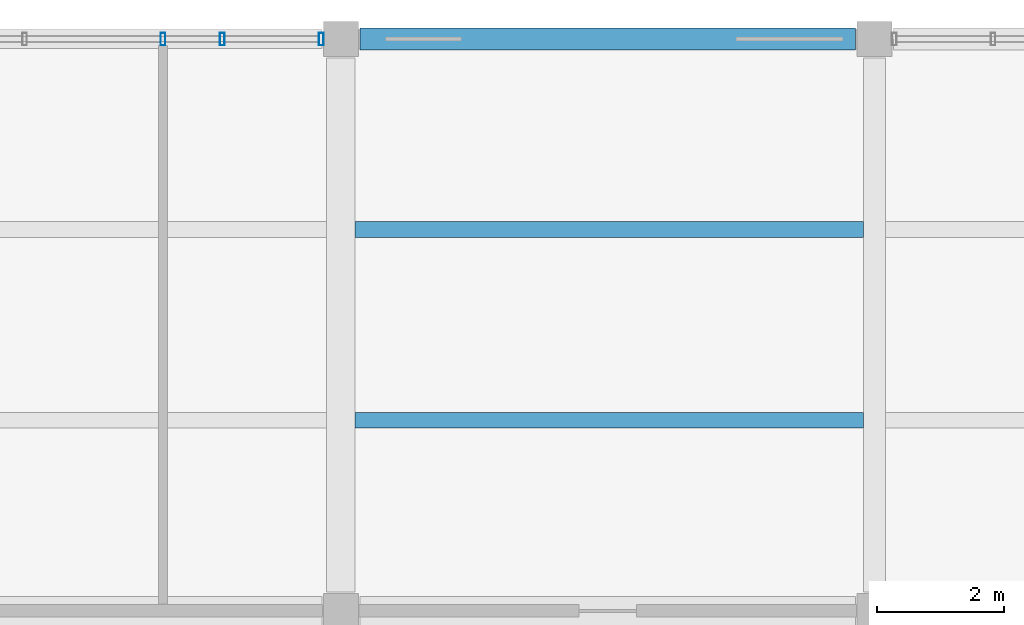
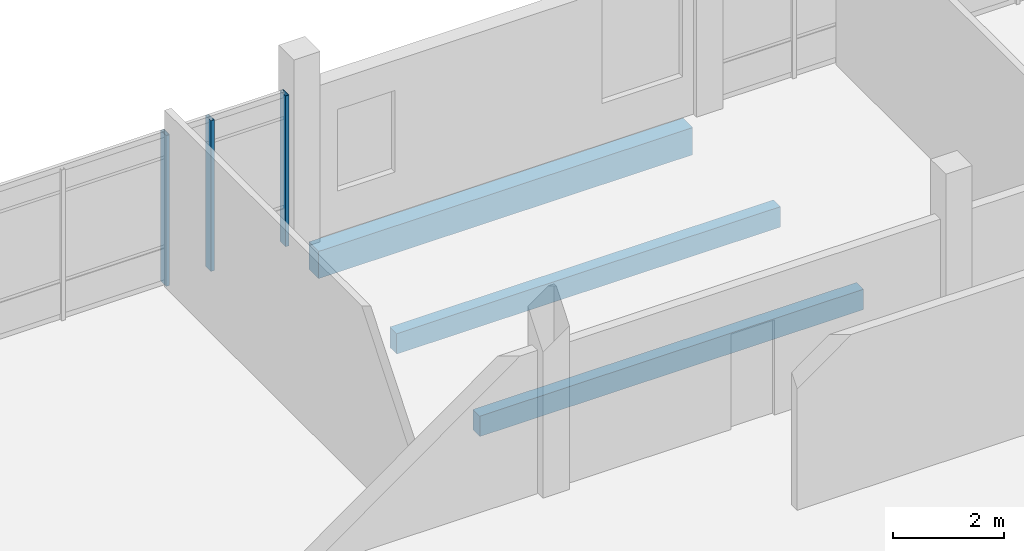
# One storey, part 61 of 130: 3 beams, 3 members, 1 element without a shape of its own.
"""IFC4 building model written with IfcOpenShell, lengths in metres."""

from ifc_helpers import new_model, si_unit, direction, frame, origin, origin_2d, place, context, subcontext, project, spatial, rectangle, hollow_rectangle, extrude, material, layer, layer_set, material_profile, profile_set, type_object, element, aggregate, save


model = new_model("IFC4")

# Units and contexts
model_context = context("Model", 3, precision=1e-05, world=origin(), true_north=direction((0.0, 1.0)))
body_context = subcontext(model_context, "Body", "Model", "MODEL_VIEW")
ifc_project = project(units=[si_unit("LENGTHUNIT", "METRE"), si_unit("AREAUNIT", "SQUARE_METRE"), si_unit("VOLUMEUNIT", "CUBIC_METRE"), si_unit("PLANEANGLEUNIT", "RADIAN"), si_unit("MASSUNIT", "GRAM", prefix="KILO")], contexts=[model_context])

# Site, building, storey
site_placement = place(None, origin())
site = spatial("IfcSite", under=ifc_project, at=site_placement, CompositionType="ELEMENT")
building_placement = place(site_placement, origin())
building = spatial("IfcBuilding", under=site, at=building_placement, Name="Vireocrest Preparatory School", CompositionType="ELEMENT")
storey_placement = place(building_placement, frame((0.0, 0.0, 9.0)))
storey = spatial("IfcBuildingStorey", under=building, at=storey_placement, Name="L02", CompositionType="ELEMENT", Elevation=9.0)

# Curtain wall, members
ifc_material_1 = material(Name="Thermally broken aluminium EN AW-6063-T6", Category="aluminium")
ifc_layer = layer(ifc_material_1, 0.179931640625)
ifc_layer_set = layer_set([ifc_layer], Name="Thermally broken aluminium EN AW-6063-T6")
curtain_wall_type = type_object("IfcCurtainWallType", Name="North Street Curtain Wall 8400x4000", PredefinedType="USERDEFINED", material=ifc_layer_set)
curtain_wall_placement = place(storey_placement, origin())
curtain_wall = element("IfcCurtainWall", 1, at=curtain_wall_placement, inside=storey, type_object=curtain_wall_type, Name="Curtain Wall CW05 CW_L02_CW05_0506_1128_090", ObjectType="CURTAIN WALL", PredefinedType="USERDEFINED")
ifc_material_profile_1 = material_profile(ifc_material_1, hollow_rectangle(XDim=0.074951171875, YDim=0.199951171875, WallThickness=0.0048828125, at=origin_2d()), Name="ALU 75x200x5")
ifc_profile_set_1 = profile_set([ifc_material_profile_1], Name="Thermally broken aluminium EN AW-6063-T6")
member_type = type_object("IfcMemberType", Name="CW Mullion 75x200x5", PredefinedType="MULLION", material=ifc_profile_set_1)
member_1_placement = place(storey_placement, frame((56.0, 112.800048828125, 0.0), z_axis=(0.0, 0.0, 1.0), x_axis=(1.0, 0.0, 0.0)))
member_1 = element("IfcMember", 2, at=member_1_placement, type_object=member_type, Name="CW Mullion ML3 CW_L02_CW05_0506_1128_090-4", PredefinedType="MULLION", context=body_context, shape_type="SweptSolid", body=[
    extrude(hollow_rectangle(XDim=0.074951171875, YDim=0.199951171875, WallThickness=0.0048828125, at=origin_2d()), origin(), (0.0, 0.0, 1.0), 3.324951171875),
])
member_2_placement = place(storey_placement, frame((56.93408203125, 112.800048828125, 0.0), z_axis=(0.0, 0.0, 1.0), x_axis=(1.0, 0.0, 0.0)))
member_2 = element("IfcMember", 3, at=member_2_placement, type_object=member_type, Name="CW Mullion ML3 CW_L02_CW05_0506_1128_090-5", PredefinedType="MULLION", context=body_context, shape_type="SweptSolid", body=[
    extrude(hollow_rectangle(XDim=0.074951171875, YDim=0.199951171875, WallThickness=0.0048828125, at=origin_2d()), origin(), (0.0, 0.0, 1.0), 3.324951171875),
])
member_3_placement = place(storey_placement, frame((58.489990234375, 112.800048828125, 0.0), z_axis=(0.0, 0.0, 1.0), x_axis=(1.0, 0.0, 0.0)))
member_3 = element("IfcMember", 4, at=member_3_placement, type_object=member_type, Name="CW Mullion ML3 CW_L02_CW05_0506_1128_090-6", PredefinedType="MULLION", context=body_context, shape_type="SweptSolid", body=[
    extrude(hollow_rectangle(XDim=0.074951171875, YDim=0.199951171875, WallThickness=0.0048828125, at=origin_2d()), origin(), (0.0, 0.0, 1.0), 3.324951171875),
])
aggregate(curtain_wall, [member_1, member_2, member_3])

# Beams
ifc_material_2 = material(Name="Concrete 40 MPa", Category="concrete")
ifc_material_profile_2 = material_profile(ifc_material_2, rectangle(XDim=0.35009765625, YDim=0.60009765625, at=origin_2d()), Name="RC 350x600")
ifc_profile_set_2 = profile_set([ifc_material_profile_2], Name="Concrete 40 MPa")
beam_type_1 = type_object("IfcBeamType", Name="RC Classroom Girder 350x600", PredefinedType="BEAM", material=ifc_profile_set_2)
beam_placement = place(storey_placement, frame((59.10009765625, 112.800048828125, -0.580078125), z_axis=(1.0, 0.0, 0.0), x_axis=(0.0, 1.0, 0.0)))
element("IfcBeam", 5, at=beam_placement, inside=storey, type_object=beam_type_1, Name="Primary Girder B04 L02-0776", PredefinedType="BEAM", context=body_context, shape_type="SweptSolid", body=[
    extrude(rectangle(XDim=0.35009765625, YDim=0.60009765625, at=origin_2d()), origin(), (0.0, 0.0, 1.0), 7.7998046875),
])
ifc_material_profile_3 = material_profile(ifc_material_2, rectangle(XDim=0.25, YDim=0.449951171875, at=origin_2d()), Name="RC 250x450")
ifc_profile_set_3 = profile_set([ifc_material_profile_3], Name="Concrete 40 MPa")
beam_type_2 = type_object("IfcBeamType", Name="RC Secondary Floor Joist 250x450", PredefinedType="JOIST", material=ifc_profile_set_3)
for number, where, z_axis, x_axis, name in (
    (6, (59.02490234375, 106.800048828125, -0.5048828125), (1.0, 0.0, 0.0), (0.0, 1.0, 0.0), "Secondary Joist J01 L02-0942"),
    (7, (59.02490234375, 109.800048828125, -0.5048828125), (1.0, 0.0, 0.0), (0.0, 1.0, 0.0), "Secondary Joist J01 L02-0943"),
):
    element("IfcBeam", number, at=place(storey_placement, frame(where, z_axis=z_axis, x_axis=x_axis)), inside=storey, type_object=beam_type_2, Name=name, PredefinedType="JOIST", context=body_context, shape_type="SweptSolid", body=[
        extrude(rectangle(XDim=0.25, YDim=0.449951171875, at=origin_2d()), origin(), (0.0, 0.0, 1.0), 8.0),
    ])

save(model, "model.ifc")
